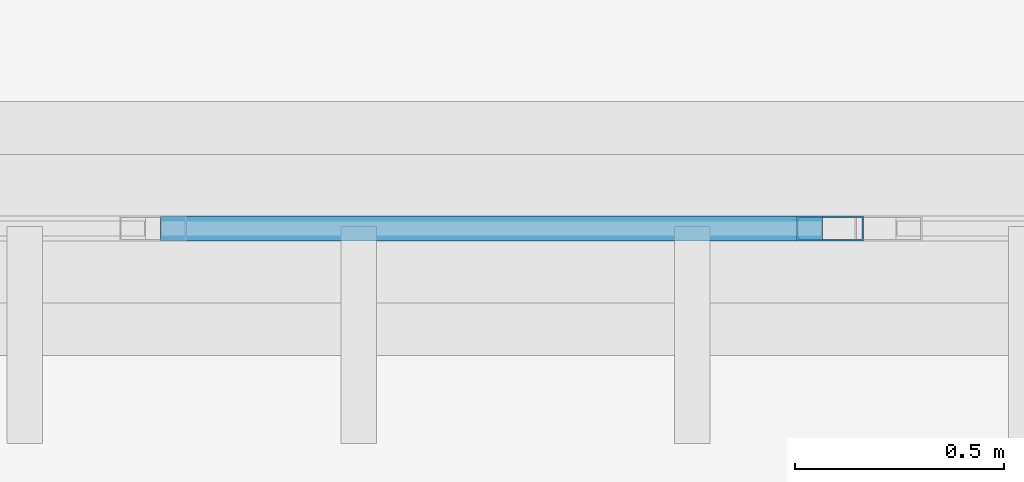
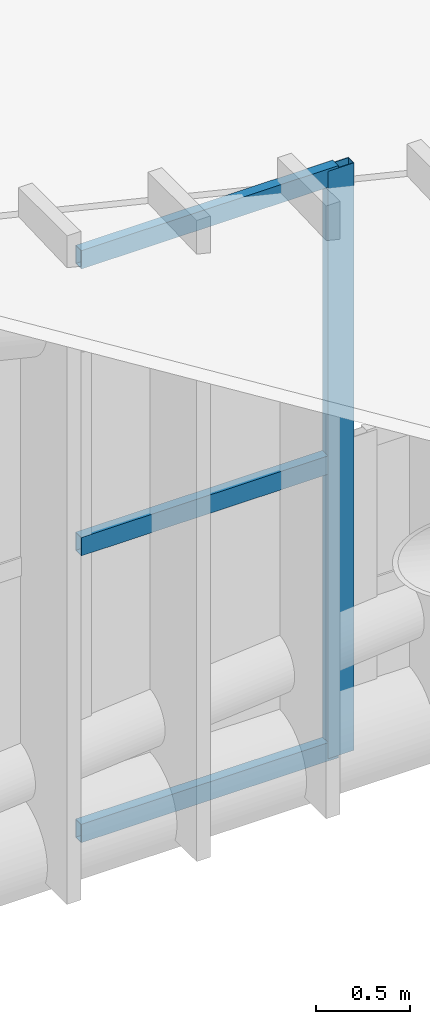
# One storey, part 113 of 397: 4 members, 1 element without a shape of its own.
"""IFC4 building model written with IfcOpenShell, lengths in metres."""

import ifcopenshell
import ifcopenshell.guid

model = None  # the IFC model being written
_history = None  # IfcOwnerHistory: only IFC2X3 demands one
_inside = {}  # id of a spatial element -> (the spatial element, [elements in it])
_under = {}  # id of a project, library or spatial element -> (it, [spatial elements below it])
_declared = {}  # id of a project -> (the project, [libraries it declares])
_typed = {}  # id of a type object -> (the type object, [elements of that type])
_made_of = {}  # id of a material, layer set ... -> (it, [elements and type objects made of it])


def new_model(schema):
    """Start an empty IFC model of exactly this schema.

    Asked for "IFC4X3", IfcOpenShell would pick the latest addendum, in which some entities
    have other attributes; the version numbers below select the first issue.
    IFC2X3 requires an IfcOwnerHistory on every rooted entity: one is made here for all.
    """
    global model, _history
    if schema == "IFC4X3":
        model = ifcopenshell.file(schema_version=(4, 3, 0, 0))
    else:
        model = ifcopenshell.file(schema=schema)
    _inside.clear()
    _under.clear()
    _declared.clear()
    _typed.clear()
    _made_of.clear()
    _history = None
    if model.schema == "IFC2X3":
        org = make("IfcOrganization", Name="unknown")
        user = make(
            "IfcPersonAndOrganization",
            ThePerson=make("IfcPerson", FamilyName="unknown"),
            TheOrganization=org,
        )
        app = make(
            "IfcApplication",
            ApplicationDeveloper=org,
            Version="unknown",
            ApplicationFullName="unknown",
            ApplicationIdentifier="unknown",
        )
        _history = make(
            "IfcOwnerHistory",
            OwningUser=user,
            OwningApplication=app,
            ChangeAction="ADDED",
            CreationDate=0,
        )
    return model


def make(cls, **values):
    """One entity of the class cls with the attributes given. An attribute that is None is left unset."""
    return model.create_entity(
        cls, **{name: value for name, value in values.items() if value is not None}
    )


def rooted(cls, **values):
    """An entity with a GlobalId (a new one), such as an element, a storey or a relation."""
    return make(cls, GlobalId=ifcopenshell.guid.new(), OwnerHistory=_history, **values)


def si_unit(unit_type, name, prefix=None):
    """IfcSIUnit, for example si_unit("LENGTHUNIT", "METRE", prefix="MILLI")."""
    return make("IfcSIUnit", UnitType=unit_type, Prefix=prefix, Name=name)


def assignment(units):
    """IfcUnitAssignment: the units of a project."""
    return None if units is None else make("IfcUnitAssignment", Units=units)


def point(xyz):
    """IfcCartesianPoint."""
    return None if xyz is None else make("IfcCartesianPoint", Coordinates=xyz)


def direction(xyz):
    """IfcDirection."""
    return None if xyz is None else make("IfcDirection", DirectionRatios=xyz)


def frame(location, z_axis=None, x_axis=None):
    """IfcAxis2Placement3D, a coordinate frame: its origin and axes. An axis left out is left unset."""
    return make(
        "IfcAxis2Placement3D",
        Location=point(location),
        Axis=direction(z_axis),
        RefDirection=direction(x_axis),
    )


def frame_2d(location, x_axis=None):
    """IfcAxis2Placement2D, a coordinate frame in the plane: its origin and x axis."""
    return make(
        "IfcAxis2Placement2D", Location=point(location), RefDirection=direction(x_axis)
    )


def origin():
    """The frame at (0, 0, 0) with its axes left unset."""
    return frame((0.0, 0.0, 0.0))


def origin_2d():
    """The frame at (0, 0) in the plane with its x axis left unset."""
    return frame_2d((0.0, 0.0))


def place(relative_to, where):
    """IfcLocalPlacement: puts the frame where relative to a parent placement (None: the world)."""
    return make(
        "IfcLocalPlacement", PlacementRelTo=relative_to, RelativePlacement=where
    )


def context(
    kind, dimensions, precision=None, world=None, true_north=None, identifier=None
):
    """IfcGeometricRepresentationContext, for example the 3D "Model" context."""
    return make(
        "IfcGeometricRepresentationContext",
        ContextIdentifier=identifier,
        ContextType=kind,
        CoordinateSpaceDimension=dimensions,
        Precision=precision,
        WorldCoordinateSystem=world,
        TrueNorth=true_north,
    )


def subcontext(parent, identifier, kind, view, scale=None):
    """IfcGeometricRepresentationSubContext, for example "Body" below "Model"."""
    return make(
        "IfcGeometricRepresentationSubContext",
        ContextIdentifier=identifier,
        ContextType=kind,
        ParentContext=parent,
        TargetScale=scale,
        TargetView=view,
    )


def project(units=None, contexts=None):
    """IfcProject with its units and contexts."""
    return rooted(
        "IfcProject",
        Name="project",
        RepresentationContexts=contexts,
        UnitsInContext=assignment(units),
    )


def spatial(cls, under=None, at=None, **own):
    """A site, building, storey or space (cls), placed at a placement, below another one or the project."""
    s = rooted(cls, ObjectPlacement=at, **own)
    if under is not None:
        _under.setdefault(under.id(), (under, []))[1].append(s)
    return s


def profile(cls, at=None, kind="AREA", **sizes):
    """A parametric profile (cls). Its sizes go by their IFC names, for example OverallWidth=200.0."""
    return make(cls, ProfileType=kind, Position=at, **sizes)


def hollow_rectangle(**sizes):
    """IfcRectangleHollowProfileDef."""
    return profile("IfcRectangleHollowProfileDef", **sizes)


def extrude(swept, where, along, depth):
    """IfcExtrudedAreaSolid: the profile swept, set in the frame where, extruded along a direction by depth."""
    return make(
        "IfcExtrudedAreaSolid",
        SweptArea=swept,
        Position=where,
        ExtrudedDirection=direction(along),
        Depth=depth,
    )


def shape(context_of_items, identifier, shape_type, items):
    """IfcShapeRepresentation: the items that make up one representation, for example the "Body"."""
    return make(
        "IfcShapeRepresentation",
        ContextOfItems=context_of_items,
        RepresentationIdentifier=identifier,
        RepresentationType=shape_type,
        Items=items,
    )


def material(Name=None, Category=None):
    """IfcMaterial."""
    return make("IfcMaterial", Name=Name, Category=Category)


def material_profile(
    of_material, cross_section, Name=None, Category=None, Priority=None
):
    """IfcMaterialProfile: a cross section and its material."""
    return make(
        "IfcMaterialProfile",
        Name=Name,
        Material=of_material,
        Profile=cross_section,
        Priority=Priority,
        Category=Category,
    )


def profile_set(profiles, Name=None, composite=None):
    """IfcMaterialProfileSet."""
    return make(
        "IfcMaterialProfileSet",
        Name=Name,
        MaterialProfiles=profiles,
        CompositeProfile=composite,
    )


def made_of(thing, what):
    """Note that an element or type object is made of a material, layer set ...; save() writes the relation."""
    if what is not None:
        _made_of.setdefault(what.id(), (what, []))[1].append(thing)
    return thing


def type_object(cls, material=None, **own):
    """A type object (cls), such as IfcWallType, which elements share."""
    return made_of(rooted(cls, **own), material)


def element(
    cls,
    number,
    at=None,
    inside=None,
    cuts=None,
    type_object=None,
    material=None,
    context=None,
    identifier="Body",
    shape_type=None,
    held_by="IfcProductDefinitionShape",
    body=None,
    shapes=None,
    **own,
):
    """One element of the class cls, such as IfcWall. Its Tag is "e" and its number.

    at: its placement. inside: the storey or other place that contains it. cuts: it is an
    opening in that element (IfcRelVoidsElement). A single representation is given by context,
    identifier, shape_type and body (its items); several are given by shapes. held_by: the class
    of the entity that holds the representations. save() writes the other relations.
    """
    e = rooted(cls, Tag="e%d" % number, ObjectPlacement=at, **own)
    if body is not None:
        shapes = [shape(context, identifier, shape_type, body)]
    if shapes is not None:
        e.Representation = make(held_by, Representations=shapes)
    if inside is not None:
        _inside.setdefault(inside.id(), (inside, []))[1].append(e)
    if cuts is not None:
        rooted(
            "IfcRelVoidsElement", RelatingBuildingElement=cuts, RelatedOpeningElement=e
        )
    if type_object is not None:
        _typed.setdefault(type_object.id(), (type_object, []))[1].append(e)
    return made_of(e, material)


def aggregate(whole, parts):
    """IfcRelAggregates: a whole, such as a stair, and the parts it consists of."""
    return rooted("IfcRelAggregates", RelatingObject=whole, RelatedObjects=parts)


def save(model, path):
    """Write the relations noted so far, then the file.

    IfcRelAggregates (storeys below a building ...), IfcRelContainedInSpatialStructure (elements
    in a storey), IfcRelDefinesByType, IfcRelAssociatesMaterial and IfcRelDeclares: one each for
    every whole, place, type object, material and project.
    """
    for whole, parts in _under.values():
        aggregate(whole, parts)
    for where, things in _inside.values():
        rooted(
            "IfcRelContainedInSpatialStructure",
            RelatedElements=things,
            RelatingStructure=where,
        )
    for kind, things in _typed.values():
        rooted("IfcRelDefinesByType", RelatedObjects=things, RelatingType=kind)
    for what, things in _made_of.values():
        rooted("IfcRelAssociatesMaterial", RelatedObjects=things, RelatingMaterial=what)
    for by, libraries in _declared.values():
        rooted("IfcRelDeclares", RelatingContext=by, RelatedDefinitions=libraries)
    model.write(path)


model = new_model("IFC4")

# Units and contexts
model_context = context("Model", 3, precision=1e-05, world=origin(), true_north=direction((0.0, 1.0)))
body_context = subcontext(model_context, "Body", "Model", "MODEL_VIEW")
ifc_project = project(units=[si_unit("LENGTHUNIT", "METRE"), si_unit("AREAUNIT", "SQUARE_METRE"), si_unit("VOLUMEUNIT", "CUBIC_METRE"), si_unit("PLANEANGLEUNIT", "RADIAN"), si_unit("MASSUNIT", "GRAM", prefix="KILO")], contexts=[model_context])

# Site, building, storey
site_placement = place(None, origin())
site = spatial("IfcSite", under=ifc_project, at=site_placement, CompositionType="ELEMENT")
building_placement = place(site_placement, origin())
building = spatial("IfcBuilding", under=site, at=building_placement, Name="Qandorah Velis Arena", CompositionType="ELEMENT")
storey_placement = place(building_placement, frame((0.0, 0.0, 27.5)))
storey = spatial("IfcBuildingStorey", under=building, at=storey_placement, Name="RF", CompositionType="ELEMENT", Elevation=27.5)

# Curtain wall, members
ifc_material_1 = material(Name="Solar-control low-E double glazing", Category="glass")
curtain_wall_type = type_object("IfcCurtainWallType", Name="ARC-CW-SYS23", PredefinedType="USERDEFINED", material=ifc_material_1)
curtain_wall_placement = place(storey_placement, origin())
curtain_wall = element("IfcCurtainWall", 1, at=curtain_wall_placement, inside=storey, type_object=curtain_wall_type, Name="Unitised curtain wall CROWN-3-07S1", ObjectType="UNITISED CURTAIN WALL", PredefinedType="USERDEFINED")
ifc_material_2 = material(Name="Champagne-bronze anodized aluminium 6063-T6", Category="aluminium")
ifc_material_profile_1 = material_profile(ifc_material_2, hollow_rectangle(XDim=0.06005859375, YDim=0.159912109375, WallThickness=0.00341796875, at=origin_2d()), Name="ALU MULLION 60x160")
ifc_profile_set_1 = profile_set([ifc_material_profile_1], Name="Champagne-bronze anodized aluminium 6063-T6")
member_type_1 = type_object("IfcMemberType", Name="ARC-CWM-160", PredefinedType="MULLION", material=ifc_profile_set_1)
member_1_placement = place(storey_placement, frame((107.929931640625, 14.39990234375, -0.014892578125), z_axis=(0.0, 0.0, 1.0), x_axis=(0.0, 1.0, 0.0)))
member_1 = element("IfcMember", 2, at=member_1_placement, type_object=member_type_1, Name="CW23 mullion 5", PredefinedType="MULLION", context=body_context, shape_type="SweptSolid", body=[
    extrude(hollow_rectangle(XDim=0.06005859375, YDim=0.159912109375, WallThickness=0.00341796875, at=origin_2d()), origin(), (0.0, 0.0, 1.0), 3.83447265625),
])
ifc_material_profile_2 = material_profile(ifc_material_2, hollow_rectangle(XDim=0.06005859375, YDim=0.1201171875, WallThickness=0.0029296875, at=origin_2d()), Name="ALU TRANSOM 60x120")
ifc_profile_set_2 = profile_set([ifc_material_profile_2], Name="Champagne-bronze anodized aluminium 6063-T6")
member_type_2 = type_object("IfcMemberType", Name="ARC-CWT-120", PredefinedType="USERDEFINED", material=ifc_profile_set_2)
member_2_placement = place(storey_placement, frame((106.325439453125, 14.39990234375, 0.030029296875), z_axis=(1.0, 0.0, 0.0), x_axis=(0.0, 1.0, 0.0)))
member_2 = element("IfcMember", 3, at=member_2_placement, type_object=member_type_2, Name="CW23 transom 4.1", ObjectType="TRANSOM", PredefinedType="USERDEFINED", context=body_context, shape_type="SweptSolid", body=[
    extrude(hollow_rectangle(XDim=0.06005859375, YDim=0.1201171875, WallThickness=0.0029296875, at=origin_2d()), origin(), (0.0, 0.0, 1.0), 1.586669921875),
])
member_3_placement = place(storey_placement, frame((106.325439453125, 14.39990234375, 1.90234375), z_axis=(1.0, 0.0, 0.0), x_axis=(0.0, 1.0, 0.0)))
member_3 = element("IfcMember", 4, at=member_3_placement, type_object=member_type_2, Name="CW23 transom 4.2", ObjectType="TRANSOM", PredefinedType="USERDEFINED", context=body_context, shape_type="SweptSolid", body=[
    extrude(hollow_rectangle(XDim=0.06005859375, YDim=0.1201171875, WallThickness=0.0029296875, at=origin_2d()), origin(), (0.0, 0.0, 1.0), 1.586669921875),
])
member_4_placement = place(storey_placement, frame((106.325439453125, 14.39990234375, 3.774658203125), z_axis=(1.0, 0.0, 0.0), x_axis=(0.0, 1.0, 0.0)))
member_4 = element("IfcMember", 5, at=member_4_placement, type_object=member_type_2, Name="CW23 transom 4.3", ObjectType="TRANSOM", PredefinedType="USERDEFINED", context=body_context, shape_type="SweptSolid", body=[
    extrude(hollow_rectangle(XDim=0.06005859375, YDim=0.1201171875, WallThickness=0.0029296875, at=origin_2d()), origin(), (0.0, 0.0, 1.0), 1.586669921875),
])
aggregate(curtain_wall, [member_1, member_2, member_3, member_4])

save(model, "model.ifc")
